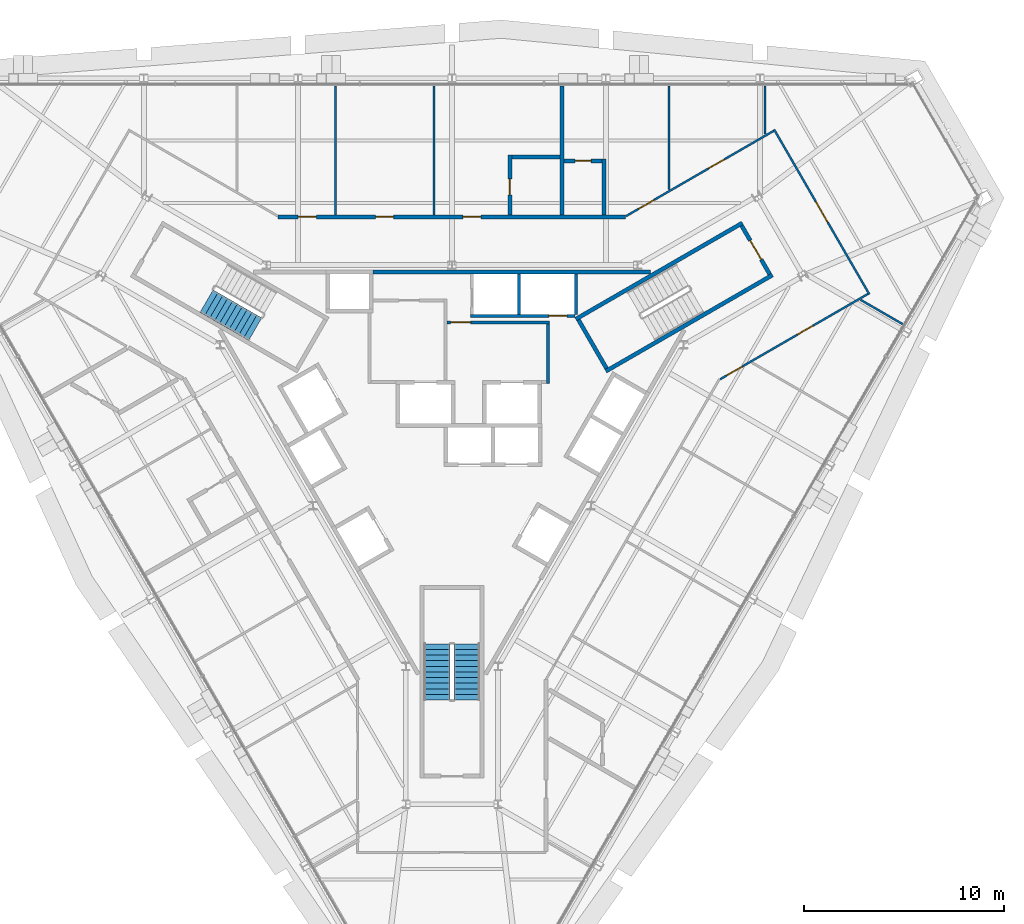
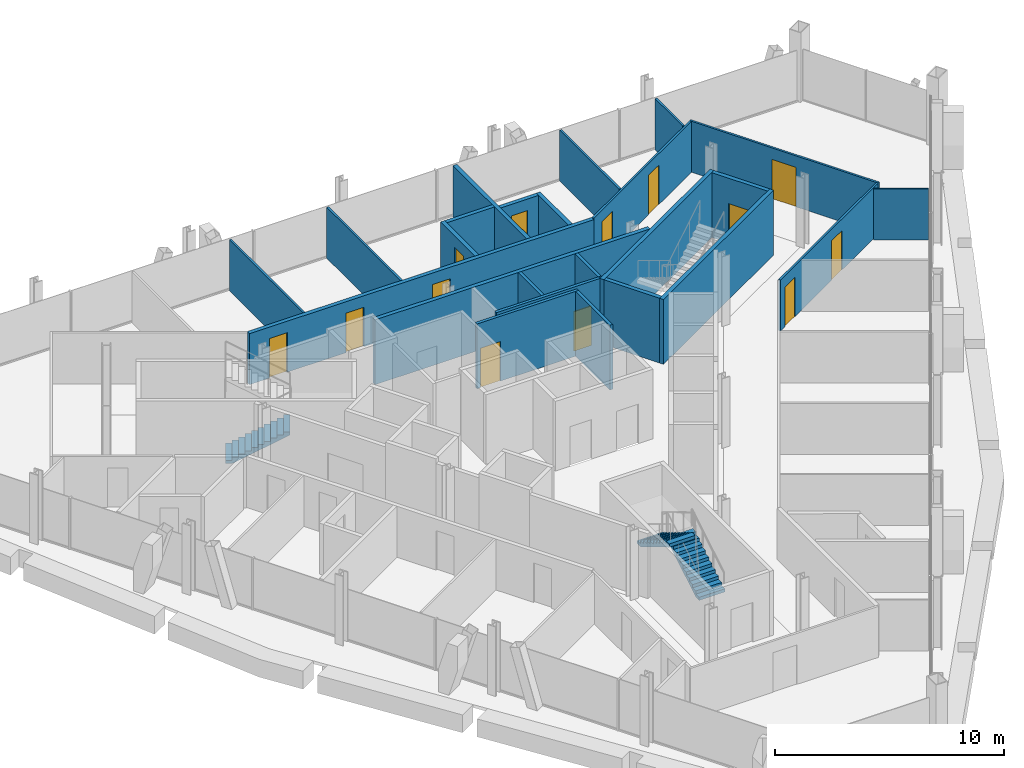
# One storey, part 10 of 13: 24 walls, 13 doors, 3 stair flights, 13 openings, 2 elements without a shape of their own.
"""IFC4 building model written with IfcOpenShell, lengths in metres."""

from ifc_helpers import new_model, si_unit, direction, frame, frame_2d, origin, place, context, subcontext, project, spatial, polyline, rectangle, outline, extrude, material, layer, layer_set, type_object, element, fill, aggregate, save


model = new_model("IFC4")

# Units and contexts
model_context = context("Model", 3, precision=1e-05, world=origin(), true_north=direction((0.0, 1.0)))
body_context = subcontext(model_context, "Body", "Model", "MODEL_VIEW")
ifc_project = project(units=[si_unit("LENGTHUNIT", "METRE"), si_unit("AREAUNIT", "SQUARE_METRE"), si_unit("VOLUMEUNIT", "CUBIC_METRE"), si_unit("PLANEANGLEUNIT", "RADIAN"), si_unit("MASSUNIT", "GRAM", prefix="KILO")], contexts=[model_context])

# Site, building, storey
site_placement = place(None, origin())
site = spatial("IfcSite", under=ifc_project, at=site_placement, CompositionType="ELEMENT")
building_placement = place(site_placement, origin())
building = spatial("IfcBuilding", under=site, at=building_placement, Name="Verrane Prism Tower", CompositionType="ELEMENT")
storey_placement = place(building_placement, frame((0.0, 0.0, 167.300048828125)))
storey = spatial("IfcBuildingStorey", under=building, at=storey_placement, Name="L41", CompositionType="ELEMENT", Elevation=167.300048828125)

# Wall
ifc_material_1 = material(Name="Gypsum board partition", Category="other")
ifc_layer_1 = layer(ifc_material_1, 0.199951171875)
ifc_layer_set_1 = layer_set([ifc_layer_1], Name="CW-200 core boundary wall 2 h")
wall_type_1 = type_object("IfcWallType", Name="CW-200 core boundary wall 2 h", PredefinedType="PARTITIONING", material=ifc_layer_set_1)
wall_1_placement = place(storey_placement, frame((-3.93310546875, 7.659912109375, 0.0), z_axis=(0.0, 0.0, 1.0), x_axis=(1.0, 0.0, 0.0)))
element("IfcWall", 1, at=wall_1_placement, inside=storey, type_object=wall_type_1, Name="Core boundary wall CW3-005", PredefinedType="PARTITIONING", context=body_context, shape_type="SweptSolid", body=[
    extrude(rectangle(XDim=13.841064453125, YDim=0.199951171875, at=frame_2d((6.92041015625, 0.0))), origin(), (0.0, 0.0, 1.0), 3.449951171875),
])

# Wall, opening, door
ifc_material_2 = material(Name="Concrete C40/50", Category="concrete")
ifc_layer_2 = layer(ifc_material_2, 0.199951171875)
ifc_layer_set_2 = layer_set([ifc_layer_2], Name="CW-200 stair core wall concrete C40/50 3 h")
wall_type_2 = type_object("IfcWallType", Name="CW-200 stair core wall concrete C40/50 3 h", PredefinedType="PARTITIONING", material=ifc_layer_set_2)
wall_2_placement = place(storey_placement, frame((15.85546875, 7.53759765625, 0.0), z_axis=(0.0, 0.0, 1.0), x_axis=(-0.500049511043, 0.865996816683, 0.0)))
wall_2 = element("IfcWall", 2, at=wall_2_placement, inside=storey, type_object=wall_type_2, Name="Stair 1 enclosure wall", PredefinedType="PARTITIONING", context=body_context, shape_type="SweptSolid", body=[
    extrude(rectangle(XDim=2.800048828125, YDim=0.199951171875, at=frame_2d((1.39990234375, 0.0))), origin(), (0.0, 0.0, 1.0), 3.449951171875),
])
opening_1_placement = place(wall_2_placement, frame((0.849853515625, 0.0, 0.0)))
opening_1 = element("IfcOpeningElement", 3, at=opening_1_placement, cuts=wall_2, Name="Opening D39500", PredefinedType="OPENING", context=body_context, shape_type="SweptSolid", body=[
    extrude(rectangle(XDim=1.10009765625, YDim=2.10009765625, at=frame_2d((0.550048828125, 1.050048828125))), frame((0.0, 0.10986328125, 0.0), z_axis=(0.0, -1.0, 0.0), x_axis=(1.0, 0.0, 0.0)), (0.0, 0.0, 1.0), 0.219970703125),
])
ifc_material_3 = material(Name="Timber veneered door leaf", Category="wood")
door_type_1 = type_object("IfcDoorType", Name="DR-1100x2100 FD90 single leaf stair", OperationType="NOTDEFINED", PredefinedType="DOOR", material=ifc_material_3)
door_1_placement = place(opening_1_placement, origin())
door_1 = element("IfcDoor", 4, at=door_1_placement, inside=storey, type_object=door_type_1, Name="Stair 1 door", OperationType="SINGLE_SWING_LEFT", OverallHeight=2.10009765625, OverallWidth=1.10009765625, PredefinedType="DOOR", context=body_context, shape_type="SweptSolid", body=[
    extrude(rectangle(XDim=1.10009765625, YDim=2.10009765625, at=frame_2d((0.550048828125, 1.050048828125))), frame((0.0, 0.02490234375, 0.0), z_axis=(0.0, -1.0, 0.0), x_axis=(1.0, 0.0, 0.0)), (0.0, 0.0, 1.0), 0.050048828125),
])
fill(opening_1, door_1)

# Walls
for number, where, z_axis, x_axis, name in (
    (5, (6.17822265625, 5.299072265625, 0.0), (0.0, 0.0, 1.0), (0.866019993635, 0.500009370536, 0.0), "Stair 1 enclosure wall"),
    (6, (7.67822265625, 2.700927734375, 0.0), (0.0, 0.0, 1.0), (0.866019993635, 0.500009370536, 0.0), "Stair 1 enclosure wall"),
):
    element("IfcWall", number, at=place(storey_placement, frame(where, z_axis=z_axis, x_axis=x_axis)), inside=storey, type_object=wall_type_2, Name=name, PredefinedType="PARTITIONING", context=body_context, shape_type="SweptSolid", body=[
        extrude(rectangle(XDim=9.599853515625, YDim=0.199951171875, at=frame_2d((4.7998046875, 0.0))), origin(), (0.0, 0.0, 1.0), 3.449951171875),
    ])
wall_3_placement = place(storey_placement, frame((7.71484375, 2.837646484375, 0.0), z_axis=(0.0, 0.0, 1.0), x_axis=(-0.500049511043, 0.865996816683, 0.0)))
element("IfcWall", 7, at=wall_3_placement, inside=storey, type_object=wall_type_2, Name="Stair 1 enclosure wall", PredefinedType="PARTITIONING", context=body_context, shape_type="SweptSolid", body=[
    extrude(rectangle(XDim=2.800048828125, YDim=0.199951171875, at=frame_2d((1.39990234375, 0.0))), origin(), (0.0, 0.0, 1.0), 3.449951171875),
])

# Wall, opening, door
ifc_material_4 = material(Name="Gypsum board partition", Category="other")
ifc_layer_3 = layer(ifc_material_4, 0.14990234375)
ifc_layer_set_3 = layer_set([ifc_layer_3], Name="LF-150 firefighting lobby wall 1 h")
wall_type_3 = type_object("IfcWallType", Name="LF-150 firefighting lobby wall 1 h", PredefinedType="PARTITIONING", material=ifc_layer_set_3)
wall_4_placement = place(storey_placement, frame((-0.2451171875, 5.139892578125, 0.0), z_axis=(0.0, 0.0, 1.0), x_axis=(1.0, 0.0, 0.0)))
wall_4 = element("IfcWall", 8, at=wall_4_placement, inside=storey, type_object=wall_type_3, Name="Firefighting lobby wall LF1-005", PredefinedType="PARTITIONING", context=body_context, shape_type="SweptSolid", body=[
    extrude(rectangle(XDim=5.110107421875, YDim=0.14990234375, at=frame_2d((2.55517578125, 0.0))), origin(), (0.0, 0.0, 1.0), 3.449951171875),
])
opening_2_placement = place(wall_4_placement, frame((0.175048828125, 0.0, 0.0)))
opening_2 = element("IfcOpeningElement", 9, at=opening_2_placement, cuts=wall_4, Name="Opening D39512", PredefinedType="OPENING", context=body_context, shape_type="SweptSolid", body=[
    extrude(rectangle(XDim=1.0, YDim=2.10009765625, at=frame_2d((0.5, 1.050048828125))), frame((0.0, 0.0849609375, 0.0), z_axis=(0.0, -1.0, 0.0), x_axis=(1.0, 0.0, 0.0)), (0.0, 0.0, 1.0), 0.169921875),
])
ifc_material_5 = material(Name="Timber veneered door leaf", Category="wood")
door_type_2 = type_object("IfcDoorType", Name="DR-1000x2100 FD60 single leaf firefighting lobby", OperationType="NOTDEFINED", PredefinedType="DOOR", material=ifc_material_5)
door_2_placement = place(opening_2_placement, origin())
door_2 = element("IfcDoor", 10, at=door_2_placement, inside=storey, type_object=door_type_2, Name="Firefighting lobby door D39512", OperationType="SINGLE_SWING_LEFT", OverallHeight=2.10009765625, OverallWidth=1.0, PredefinedType="DOOR", context=body_context, shape_type="SweptSolid", body=[
    extrude(rectangle(XDim=1.0, YDim=2.10009765625, at=frame_2d((0.5, 1.050048828125))), frame((0.0, 0.02490234375, 0.0), z_axis=(0.0, -1.0, 0.0), x_axis=(1.0, 0.0, 0.0)), (0.0, 0.0, 1.0), 0.050048828125),
])
fill(opening_2, door_2)

# Walls
wall_5_placement = place(storey_placement, frame((4.7900390625, 2.0849609375, 0.0), z_axis=(0.0, 0.0, 1.0), x_axis=(0.0, 1.0, 0.0)))
element("IfcWall", 11, at=wall_5_placement, inside=storey, type_object=wall_type_3, Name="Firefighting lobby wall LF1-007", PredefinedType="PARTITIONING", context=body_context, shape_type="SweptSolid", body=[
    extrude(rectangle(XDim=2.97998046875, YDim=0.14990234375, at=frame_2d((1.489990234375, 0.0))), origin(), (0.0, 0.0, 1.0), 3.449951171875),
])
ifc_material_6 = material(Name="Gypsum board partition", Category="other")
ifc_layer_4 = layer(ifc_material_6, 0.10009765625)
ifc_layer_set_4 = layer_set([ifc_layer_4], Name="PW-100 room partition")
wall_type_4 = type_object("IfcWallType", Name="PW-100 room partition", PredefinedType="PARTITIONING", material=ifc_layer_set_4)
for number, where, z_axis, x_axis, name in (
    (12, (-5.81005859375, 10.5, 0.0), (0.0, 0.0, 1.0), (0.0, 1.0, 0.0), "Room partition 020"),
    (13, (-0.906005859375, 10.5, 0.0), (0.0, 0.0, 1.0), (0.0, 1.0, 0.0), "Room partition 025"),
):
    element("IfcWall", number, at=place(storey_placement, frame(where, z_axis=z_axis, x_axis=x_axis)), inside=storey, type_object=wall_type_4, Name=name, PredefinedType="PARTITIONING", context=body_context, shape_type="SweptSolid", body=[
        extrude(rectangle(XDim=6.43505859375, YDim=0.10009765625, at=frame_2d((3.217529296875, 0.0))), origin(), (0.0, 0.0, 1.0), 2.712890625),
    ])

# Wall, openings, doors
wall_6_placement = place(storey_placement, frame((8.690673828125, 10.4423828125, 0.0), z_axis=(0.0, 0.0, 1.0), x_axis=(0.866070360466, 0.499922124658, 0.0)))
wall_6 = element("IfcWall", 14, at=wall_6_placement, inside=storey, type_object=wall_type_4, Name="Room partition 038", PredefinedType="PARTITIONING", context=body_context, shape_type="SweptSolid", body=[
    extrude(rectangle(XDim=8.502685546875, YDim=0.10009765625, at=frame_2d((4.25146484375, 0.0))), origin(), (0.0, 0.0, 1.0), 2.712890625),
])
opening_3_placement = place(wall_6_placement, frame((4.758056640625, 0.0, 0.0)))
opening_3 = element("IfcOpeningElement", 15, at=opening_3_placement, cuts=wall_6, Name="Opening D39009", PredefinedType="OPENING", context=body_context, shape_type="SweptSolid", body=[
    extrude(rectangle(XDim=0.89990234375, YDim=2.10009765625, at=frame_2d((0.449951171875, 1.050048828125))), frame((0.0, 0.06005859375, 0.0), z_axis=(0.0, -1.0, 0.0), x_axis=(1.0, 0.0, 0.0)), (0.0, 0.0, 1.0), 0.1201171875),
])
opening_4_placement = place(wall_6_placement, frame((0.715087890625, 0.0, 0.0)))
opening_4 = element("IfcOpeningElement", 16, at=opening_4_placement, cuts=wall_6, Name="Opening D39010", PredefinedType="OPENING", context=body_context, shape_type="SweptSolid", body=[
    extrude(rectangle(XDim=0.89990234375, YDim=2.10009765625, at=frame_2d((0.449951171875, 1.050048828125))), frame((0.0, 0.06005859375, 0.0), z_axis=(0.0, -1.0, 0.0), x_axis=(1.0, 0.0, 0.0)), (0.0, 0.0, 1.0), 0.1201171875),
])
ifc_material_7 = material(Name="Timber veneered door leaf", Category="wood")
door_type_3 = type_object("IfcDoorType", Name="DR-900x2100 single leaf inner", OperationType="NOTDEFINED", PredefinedType="DOOR", material=ifc_material_7)
door_3_placement = place(opening_4_placement, origin())
door_3 = element("IfcDoor", 17, at=door_3_placement, inside=storey, type_object=door_type_3, Name="Bedroom door", OperationType="SINGLE_SWING_RIGHT", OverallHeight=2.10009765625, OverallWidth=0.89990234375, PredefinedType="DOOR", context=body_context, shape_type="SweptSolid", body=[
    extrude(rectangle(XDim=0.89990234375, YDim=2.10009765625, at=frame_2d((0.449951171875, 1.050048828125))), frame((0.0, 0.02490234375, 0.0), z_axis=(0.0, -1.0, 0.0), x_axis=(1.0, 0.0, 0.0)), (0.0, 0.0, 1.0), 0.050048828125),
])
fill(opening_4, door_3)
ifc_material_8 = material(Name="Timber veneered door leaf", Category="wood")
door_type_4 = type_object("IfcDoorType", Name="DR-900x2100 single leaf unit", OperationType="NOTDEFINED", PredefinedType="DOOR", material=ifc_material_8)
door_4_placement = place(opening_3_placement, origin())
door_4 = element("IfcDoor", 18, at=door_4_placement, inside=storey, type_object=door_type_4, Name="Kitchen door", OperationType="SINGLE_SWING_LEFT", OverallHeight=2.10009765625, OverallWidth=0.89990234375, PredefinedType="DOOR", context=body_context, shape_type="SweptSolid", body=[
    extrude(rectangle(XDim=0.89990234375, YDim=2.10009765625, at=frame_2d((0.449951171875, 1.050048828125))), frame((0.0, 0.02490234375, 0.0), z_axis=(0.0, -1.0, 0.0), x_axis=(1.0, 0.0, 0.0)), (0.0, 0.0, 1.0), 0.050048828125),
])
fill(opening_3, door_4)

# Wall
wall_7_placement = place(storey_placement, frame((10.820068359375, 11.757568359375, 0.0), z_axis=(0.0, 0.0, 1.0), x_axis=(0.0, 1.0, 0.0)))
element("IfcWall", 19, at=wall_7_placement, inside=storey, type_object=wall_type_4, Name="Room partition 040", PredefinedType="PARTITIONING", context=body_context, shape_type="SweptSolid", body=[
    extrude(rectangle(XDim=5.177490234375, YDim=0.10009765625, at=frame_2d((2.5888671875, 0.0))), origin(), (0.0, 0.0, 1.0), 2.712890625),
])

# Wall, openings, doors
wall_8_placement = place(storey_placement, frame((20.755615234375, 6.556884765625, 0.0), z_axis=(0.0, 0.0, 1.0), x_axis=(-0.866069146081, -0.499924228466, 0.0)))
wall_8 = element("IfcWall", 20, at=wall_8_placement, inside=storey, type_object=wall_type_4, Name="Room partition 042", PredefinedType="PARTITIONING", context=body_context, shape_type="SweptSolid", body=[
    extrude(rectangle(XDim=8.518798828125, YDim=0.10009765625, at=frame_2d((4.25927734375, 0.0))), origin(), (0.0, 0.0, 1.0), 2.712890625),
])
opening_5_placement = place(wall_8_placement, frame((7.239013671875, 0.0, 0.0)))
opening_5 = element("IfcOpeningElement", 21, at=opening_5_placement, cuts=wall_8, Name="Opening D39006", PredefinedType="OPENING", context=body_context, shape_type="SweptSolid", body=[
    extrude(rectangle(XDim=0.89990234375, YDim=2.10009765625, at=frame_2d((0.449951171875, 1.050048828125))), frame((0.0, 0.06005859375, 0.0), z_axis=(0.0, -1.0, 0.0), x_axis=(1.0, 0.0, 0.0)), (0.0, 0.0, 1.0), 0.1201171875),
])
opening_6_placement = place(wall_8_placement, frame((3.169189453125, 0.0, 0.0)))
opening_6 = element("IfcOpeningElement", 22, at=opening_6_placement, cuts=wall_8, Name="Opening D39007", PredefinedType="OPENING", context=body_context, shape_type="SweptSolid", body=[
    extrude(rectangle(XDim=0.89990234375, YDim=2.10009765625, at=frame_2d((0.449951171875, 1.050048828125))), frame((0.0, 0.06005859375, 0.0), z_axis=(0.0, -1.0, 0.0), x_axis=(1.0, 0.0, 0.0)), (0.0, 0.0, 1.0), 0.1201171875),
])
door_5_placement = place(opening_5_placement, origin())
door_5 = element("IfcDoor", 23, at=door_5_placement, inside=storey, type_object=door_type_4, Name="Study door", OperationType="SINGLE_SWING_LEFT", OverallHeight=2.10009765625, OverallWidth=0.89990234375, PredefinedType="DOOR", context=body_context, shape_type="SweptSolid", body=[
    extrude(rectangle(XDim=0.89990234375, YDim=2.10009765625, at=frame_2d((0.449951171875, 1.050048828125))), frame((0.0, 0.02490234375, 0.0), z_axis=(0.0, -1.0, 0.0), x_axis=(1.0, 0.0, 0.0)), (0.0, 0.0, 1.0), 0.050048828125),
])
fill(opening_5, door_5)
door_6_placement = place(opening_6_placement, origin())
door_6 = element("IfcDoor", 24, at=door_6_placement, inside=storey, type_object=door_type_4, Name="Study door", OperationType="SINGLE_SWING_RIGHT", OverallHeight=2.10009765625, OverallWidth=0.89990234375, PredefinedType="DOOR", context=body_context, shape_type="SweptSolid", body=[
    extrude(rectangle(XDim=0.89990234375, YDim=2.10009765625, at=frame_2d((0.449951171875, 1.050048828125))), frame((0.0, 0.02490234375, 0.0), z_axis=(0.0, -1.0, 0.0), x_axis=(1.0, 0.0, 0.0)), (0.0, 0.0, 1.0), 0.050048828125),
])
fill(opening_6, door_6)

# Wall
wall_9_placement = place(storey_placement, frame((15.616943359375, 14.526611328125, 0.0), z_axis=(0.0, 0.0, 1.0), x_axis=(0.0, 1.0, 0.0)))
element("IfcWall", 25, at=wall_9_placement, inside=storey, type_object=wall_type_4, Name="Room partition 044", PredefinedType="PARTITIONING", context=body_context, shape_type="SweptSolid", body=[
    extrude(rectangle(XDim=2.408447265625, YDim=0.10009765625, at=frame_2d((1.2041015625, 0.0))), origin(), (0.0, 0.0, 1.0), 2.712890625),
])

# Wall, opening, door
wall_10_placement = place(storey_placement, frame((16.072998046875, 14.76123046875, 0.0), z_axis=(0.0, 0.0, 1.0), x_axis=(0.500297300687, -0.865853689098, 0.0)))
wall_10 = element("IfcWall", 26, at=wall_10_placement, inside=storey, type_object=wall_type_4, Name="Room partition 045", PredefinedType="PARTITIONING", context=body_context, shape_type="SweptSolid", body=[
    extrude(rectangle(XDim=9.496337890625, YDim=0.10009765625, at=frame_2d((4.748046875, 0.0))), origin(), (0.0, 0.0, 1.0), 2.712890625),
])
opening_7_placement = place(wall_10_placement, frame((4.14990234375, 0.0, 0.0)))
opening_7 = element("IfcOpeningElement", 27, at=opening_7_placement, cuts=wall_10, Name="Opening D39008", PredefinedType="OPENING", context=body_context, shape_type="SweptSolid", body=[
    extrude(rectangle(XDim=1.199951171875, YDim=2.10009765625, at=frame_2d((0.60009765625, 1.050048828125))), frame((0.0, 0.06005859375, 0.0), z_axis=(0.0, -1.0, 0.0), x_axis=(1.0, 0.0, 0.0)), (0.0, 0.0, 1.0), 0.1201171875),
])
ifc_material_9 = material(Name="Timber veneered door leaf", Category="wood")
door_type_5 = type_object("IfcDoorType", Name="DR-1200x2100 single leaf unit", OperationType="NOTDEFINED", PredefinedType="DOOR", material=ifc_material_9)
door_7_placement = place(opening_7_placement, origin())
door_7 = element("IfcDoor", 28, at=door_7_placement, inside=storey, type_object=door_type_5, Name="Living And Dining Room door", OperationType="SINGLE_SWING_RIGHT", OverallHeight=2.10009765625, OverallWidth=1.199951171875, PredefinedType="DOOR", context=body_context, shape_type="SweptSolid", body=[
    extrude(rectangle(XDim=1.199951171875, YDim=2.10009765625, at=frame_2d((0.60009765625, 1.050048828125))), frame((0.0, 0.02490234375, 0.0), z_axis=(0.0, -1.0, 0.0), x_axis=(1.0, 0.0, 0.0)), (0.0, 0.0, 1.0), 0.050048828125),
])
fill(opening_7, door_7)

# Wall
wall_11_placement = place(storey_placement, frame((20.39208984375, 6.2607421875, 0.0), z_axis=(0.0, 0.0, 1.0), x_axis=(0.865953976614, -0.500123695086, 0.0)))
element("IfcWall", 29, at=wall_11_placement, inside=storey, type_object=wall_type_4, Name="Room partition 046", PredefinedType="PARTITIONING", context=body_context, shape_type="SweptSolid", body=[
    extrude(rectangle(XDim=2.4052734375, YDim=0.10009765625, at=frame_2d((1.20263671875, 0.0))), origin(), (0.0, 0.0, 1.0), 2.712890625),
])

# Wall, openings, doors
ifc_material_10 = material(Name="Gypsum board partition", Category="other")
ifc_layer_5 = layer(ifc_material_10, 0.199951171875)
ifc_layer_set_5 = layer_set([ifc_layer_5], Name="PW-200 plumbing wall")
wall_type_5 = type_object("IfcWallType", Name="PW-200 plumbing wall", PredefinedType="PARTITIONING", material=ifc_layer_set_5)
wall_12_placement = place(storey_placement, frame((-8.6669921875, 10.39990234375, 0.0), z_axis=(0.0, 0.0, 1.0), x_axis=(1.0, 0.0, 0.0)))
wall_12 = element("IfcWall", 30, at=wall_12_placement, inside=storey, type_object=wall_type_5, Name="Plumbing wall 017", PredefinedType="PARTITIONING", context=body_context, shape_type="SweptSolid", body=[
    extrude(rectangle(XDim=17.333984375, YDim=0.199951171875, at=frame_2d((8.6669921875, 0.0))), origin(), (0.0, 0.0, 1.0), 2.712890625),
])
opening_8_placement = place(wall_12_placement, frame((9.2109375, 0.0, 0.0)))
opening_8 = element("IfcOpeningElement", 31, at=opening_8_placement, cuts=wall_12, Name="Opening D39012", PredefinedType="OPENING", context=body_context, shape_type="SweptSolid", body=[
    extrude(rectangle(XDim=0.89990234375, YDim=2.10009765625, at=frame_2d((0.449951171875, 1.050048828125))), frame((0.0, 0.10986328125, 0.0), z_axis=(0.0, -1.0, 0.0), x_axis=(1.0, 0.0, 0.0)), (0.0, 0.0, 1.0), 0.219970703125),
])
opening_9_placement = place(wall_12_placement, frame((4.85693359375, 0.0, 0.0)))
opening_9 = element("IfcOpeningElement", 32, at=opening_9_placement, cuts=wall_12, Name="Opening D39014", PredefinedType="OPENING", context=body_context, shape_type="SweptSolid", body=[
    extrude(rectangle(XDim=0.89990234375, YDim=2.10009765625, at=frame_2d((0.449951171875, 1.050048828125))), frame((0.0, 0.10986328125, 0.0), z_axis=(0.0, -1.0, 0.0), x_axis=(1.0, 0.0, 0.0)), (0.0, 0.0, 1.0), 0.219970703125),
])
opening_10_placement = place(wall_12_placement, frame((1.0, 0.0, 0.0)))
opening_10 = element("IfcOpeningElement", 33, at=opening_10_placement, cuts=wall_12, Name="Opening D39015", PredefinedType="OPENING", context=body_context, shape_type="SweptSolid", body=[
    extrude(rectangle(XDim=0.89990234375, YDim=2.10009765625, at=frame_2d((0.449951171875, 1.050048828125))), frame((0.0, 0.10986328125, 0.0), z_axis=(0.0, -1.0, 0.0), x_axis=(1.0, 0.0, 0.0)), (0.0, 0.0, 1.0), 0.219970703125),
])
door_8_placement = place(opening_8_placement, origin())
door_8 = element("IfcDoor", 34, at=door_8_placement, inside=storey, type_object=door_type_3, Name="Master Bedroom door", OperationType="SINGLE_SWING_RIGHT", OverallHeight=2.10009765625, OverallWidth=0.89990234375, PredefinedType="DOOR", context=body_context, shape_type="SweptSolid", body=[
    extrude(rectangle(XDim=0.89990234375, YDim=2.10009765625, at=frame_2d((0.449951171875, 1.050048828125))), frame((0.0, 0.02490234375, 0.0), z_axis=(0.0, -1.0, 0.0), x_axis=(1.0, 0.0, 0.0)), (0.0, 0.0, 1.0), 0.050048828125),
])
fill(opening_8, door_8)
door_9_placement = place(opening_9_placement, origin())
door_9 = element("IfcDoor", 35, at=door_9_placement, inside=storey, type_object=door_type_4, Name="Utility Room door", OperationType="SINGLE_SWING_RIGHT", OverallHeight=2.10009765625, OverallWidth=0.89990234375, PredefinedType="DOOR", context=body_context, shape_type="SweptSolid", body=[
    extrude(rectangle(XDim=0.89990234375, YDim=2.10009765625, at=frame_2d((0.449951171875, 1.050048828125))), frame((0.0, 0.02490234375, 0.0), z_axis=(0.0, -1.0, 0.0), x_axis=(1.0, 0.0, 0.0)), (0.0, 0.0, 1.0), 0.050048828125),
])
fill(opening_9, door_9)
door_10_placement = place(opening_10_placement, origin())
door_10 = element("IfcDoor", 36, at=door_10_placement, inside=storey, type_object=door_type_4, Name="Utility Room door", OperationType="SINGLE_SWING_LEFT", OverallHeight=2.10009765625, OverallWidth=0.89990234375, PredefinedType="DOOR", context=body_context, shape_type="SweptSolid", body=[
    extrude(rectangle(XDim=0.89990234375, YDim=2.10009765625, at=frame_2d((0.449951171875, 1.050048828125))), frame((0.0, 0.02490234375, 0.0), z_axis=(0.0, -1.0, 0.0), x_axis=(1.0, 0.0, 0.0)), (0.0, 0.0, 1.0), 0.050048828125),
])
fill(opening_10, door_10)

# Wall, opening, door
wall_13_placement = place(storey_placement, frame((2.889892578125, 13.5, 0.0), z_axis=(0.0, 0.0, 1.0), x_axis=(0.0, -1.0, 0.0)))
wall_13 = element("IfcWall", 37, at=wall_13_placement, inside=storey, type_object=wall_type_5, Name="Plumbing wall 026", PredefinedType="PARTITIONING", context=body_context, shape_type="SweptSolid", body=[
    extrude(rectangle(XDim=3.0, YDim=0.199951171875, at=frame_2d((1.5, 0.0))), origin(), (0.0, 0.0, 1.0), 2.712890625),
])
opening_11_placement = place(wall_13_placement, frame((1.199951171875, 0.0, 0.0)))
opening_11 = element("IfcOpeningElement", 38, at=opening_11_placement, cuts=wall_13, Name="Opening D39013", PredefinedType="OPENING", context=body_context, shape_type="SweptSolid", body=[
    extrude(rectangle(XDim=0.800048828125, YDim=2.10009765625, at=frame_2d((0.39990234375, 1.050048828125))), frame((0.0, 0.10986328125, 0.0), z_axis=(0.0, -1.0, 0.0), x_axis=(1.0, 0.0, 0.0)), (0.0, 0.0, 1.0), 0.219970703125),
])
ifc_material_11 = material(Name="Timber veneered door leaf", Category="wood")
door_type_6 = type_object("IfcDoorType", Name="DR-800x2100 single leaf bath", OperationType="NOTDEFINED", PredefinedType="DOOR", material=ifc_material_11)
door_11_placement = place(opening_11_placement, origin())
door_11 = element("IfcDoor", 39, at=door_11_placement, inside=storey, type_object=door_type_6, Name="Master Bathroom door", OperationType="SINGLE_SWING_RIGHT", OverallHeight=2.10009765625, OverallWidth=0.800048828125, PredefinedType="DOOR", context=body_context, shape_type="SweptSolid", body=[
    extrude(rectangle(XDim=0.800048828125, YDim=2.10009765625, at=frame_2d((0.39990234375, 1.050048828125))), frame((0.0, 0.02490234375, 0.0), z_axis=(0.0, -1.0, 0.0), x_axis=(1.0, 0.0, 0.0)), (0.0, 0.0, 1.0), 0.050048828125),
])
fill(opening_11, door_11)

# Walls
wall_14_placement = place(storey_placement, frame((2.989990234375, 13.39990234375, 0.0), z_axis=(0.0, 0.0, 1.0), x_axis=(1.0, 0.0, 0.0)))
element("IfcWall", 40, at=wall_14_placement, inside=storey, type_object=wall_type_5, Name="Plumbing wall 027", PredefinedType="PARTITIONING", context=body_context, shape_type="SweptSolid", body=[
    extrude(rectangle(XDim=2.39990234375, YDim=0.199951171875, at=frame_2d((1.199951171875, 0.0))), origin(), (0.0, 0.0, 1.0), 2.712890625),
])
wall_15_placement = place(storey_placement, frame((5.489990234375, 10.5, 0.0), z_axis=(0.0, 0.0, 1.0), x_axis=(0.0, 1.0, 0.0)))
element("IfcWall", 41, at=wall_15_placement, inside=storey, type_object=wall_type_5, Name="Plumbing wall 033", PredefinedType="PARTITIONING", context=body_context, shape_type="SweptSolid", body=[
    extrude(rectangle(XDim=6.43505859375, YDim=0.199951171875, at=frame_2d((3.217529296875, 0.0))), origin(), (0.0, 0.0, 1.0), 2.712890625),
])

# Wall, opening, door
wall_16_placement = place(storey_placement, frame((7.489990234375, 13.199951171875, 0.0), z_axis=(0.0, 0.0, 1.0), x_axis=(-1.0, 0.0, 0.0)))
wall_16 = element("IfcWall", 42, at=wall_16_placement, inside=storey, type_object=wall_type_5, Name="Plumbing wall 034", PredefinedType="PARTITIONING", context=body_context, shape_type="SweptSolid", body=[
    extrude(rectangle(XDim=1.89990234375, YDim=0.199951171875, at=frame_2d((0.949951171875, 0.0))), origin(), (0.0, 0.0, 1.0), 2.712890625),
])
opening_12_placement = place(wall_16_placement, frame((0.550048828125, 0.0, 0.0)))
opening_12 = element("IfcOpeningElement", 43, at=opening_12_placement, cuts=wall_16, Name="Opening D39011", PredefinedType="OPENING", context=body_context, shape_type="SweptSolid", body=[
    extrude(rectangle(XDim=0.800048828125, YDim=2.10009765625, at=frame_2d((0.39990234375, 1.050048828125))), frame((0.0, 0.10986328125, 0.0), z_axis=(0.0, -1.0, 0.0), x_axis=(1.0, 0.0, 0.0)), (0.0, 0.0, 1.0), 0.219970703125),
])
door_12_placement = place(opening_12_placement, origin())
door_12 = element("IfcDoor", 44, at=door_12_placement, inside=storey, type_object=door_type_6, Name="Bathroom door", OperationType="SINGLE_SWING_RIGHT", OverallHeight=2.10009765625, OverallWidth=0.800048828125, PredefinedType="DOOR", context=body_context, shape_type="SweptSolid", body=[
    extrude(rectangle(XDim=0.800048828125, YDim=2.10009765625, at=frame_2d((0.39990234375, 1.050048828125))), frame((0.0, 0.02490234375, 0.0), z_axis=(0.0, -1.0, 0.0), x_axis=(1.0, 0.0, 0.0)), (0.0, 0.0, 1.0), 0.050048828125),
])
fill(opening_12, door_12)

# Wall
wall_17_placement = place(storey_placement, frame((7.590087890625, 10.5, 0.0), z_axis=(0.0, 0.0, 1.0), x_axis=(0.0, 1.0, 0.0)))
element("IfcWall", 45, at=wall_17_placement, inside=storey, type_object=wall_type_5, Name="Plumbing wall 037", PredefinedType="PARTITIONING", context=body_context, shape_type="SweptSolid", body=[
    extrude(rectangle(XDim=2.800048828125, YDim=0.199951171875, at=frame_2d((1.39990234375, 0.0))), origin(), (0.0, 0.0, 1.0), 2.712890625),
])

# Wall, opening, door
ifc_material_12 = material(Name="Gypsum board partition", Category="other")
ifc_layer_6 = layer(ifc_material_12, 0.14990234375)
ifc_layer_set_6 = layer_set([ifc_layer_6], Name="RS-150 riser enclosure wall 1 h")
wall_type_6 = type_object("IfcWallType", Name="RS-150 riser enclosure wall 1 h", PredefinedType="PARTITIONING", material=ifc_layer_set_6)
wall_18_placement = place(storey_placement, frame((0.925048828125, 5.4599609375, 0.0), z_axis=(0.0, 0.0, 1.0), x_axis=(1.0, 0.0, 0.0)))
wall_18 = element("IfcWall", 46, at=wall_18_placement, inside=storey, type_object=wall_type_6, Name="Riser wall RS3-002", PredefinedType="PARTITIONING", context=body_context, shape_type="SweptSolid", body=[
    extrude(rectangle(XDim=5.219970703125, YDim=0.14990234375, at=frame_2d((2.60986328125, 0.0))), origin(), (0.0, 0.0, 1.0), 3.449951171875),
])
opening_13_placement = place(wall_18_placement, frame((3.9150390625, 0.0, 0.0)))
opening_13 = element("IfcOpeningElement", 47, at=opening_13_placement, cuts=wall_18, Name="Opening D39514", PredefinedType="OPENING", context=body_context, shape_type="SweptSolid", body=[
    extrude(rectangle(XDim=0.89990234375, YDim=2.10009765625, at=frame_2d((0.449951171875, 1.050048828125))), frame((0.0, 0.0849609375, 0.0), z_axis=(0.0, -1.0, 0.0), x_axis=(1.0, 0.0, 0.0)), (0.0, 0.0, 1.0), 0.169921875),
])
ifc_material_13 = material(Name="Timber veneered door leaf", Category="wood")
door_type_7 = type_object("IfcDoorType", Name="DR-900x2100 FD60 single leaf riser", OperationType="NOTDEFINED", PredefinedType="DOOR", material=ifc_material_13)
door_13_placement = place(opening_13_placement, origin())
door_13 = element("IfcDoor", 48, at=door_13_placement, inside=storey, type_object=door_type_7, Name="Riser door D39514", OperationType="SINGLE_SWING_RIGHT", OverallHeight=2.10009765625, OverallWidth=0.89990234375, PredefinedType="DOOR", context=body_context, shape_type="SweptSolid", body=[
    extrude(rectangle(XDim=0.89990234375, YDim=2.10009765625, at=frame_2d((0.449951171875, 1.050048828125))), frame((0.0, 0.02490234375, 0.0), z_axis=(0.0, -1.0, 0.0), x_axis=(1.0, 0.0, 0.0)), (0.0, 0.0, 1.0), 0.050048828125),
])
fill(opening_13, door_13)

# Walls
for number, where, z_axis, x_axis, name in (
    (49, (3.340087890625, 5.534912109375, 0.0), (0.0, 0.0, 1.0), (0.0, 1.0, 0.0), "Riser wall RS3-003"),
    (50, (6.199951171875, 5.534912109375, 0.0), (0.0, 0.0, 1.0), (0.0, 1.0, 0.0), "Riser wall RS3-004"),
):
    element("IfcWall", number, at=place(storey_placement, frame(where, z_axis=z_axis, x_axis=x_axis)), inside=storey, type_object=wall_type_6, Name=name, PredefinedType="PARTITIONING", context=body_context, shape_type="SweptSolid", body=[
        extrude(rectangle(XDim=2.025146484375, YDim=0.14990234375, at=frame_2d((1.0126953125, 0.0))), origin(), (0.0, 0.0, 1.0), 3.449951171875),
    ])

# Stair, stair flight
ifc_material_14 = material(Name="Concrete C40/50", Category="concrete")
stair_type = type_object("IfcStairType", Name="Exit stair 1300 dog-leg precast concrete C40/50", PredefinedType="HALF_TURN_STAIR", material=ifc_material_14)
stair_1_placement = place(storey_placement, origin())
stair_1 = element("IfcStair", 51, at=stair_1_placement, inside=storey, type_object=stair_type, Name="Stair 2 L41", PredefinedType="HALF_TURN_STAIR")
ifc_material_15 = material(Name="Concrete C40/50", Category="concrete")
stair_flight_type = type_object("IfcStairFlightType", Name="Stair flight 1300 precast concrete C40/50", PredefinedType="STRAIGHT", material=ifc_material_15)
stair_flight_1_placement = place(storey_placement, frame((-12.239501953125, 6.200439453125, 0.0), z_axis=(0.0, 0.0, 1.0), x_axis=(0.866025403784, -0.5, 0.0)))
stair_flight_1 = element("IfcStairFlight", 52, at=stair_flight_1_placement, type_object=stair_flight_type, Name="Stair 2 flight 1", NumberOfRisers=11, NumberOfTreads=10, PredefinedType="STRAIGHT", RiserHeight=0.168181818, TreadLength=0.28, context=body_context, shape_type="SweptSolid", body=[
    extrude(outline(polyline([(0.0, 0.0), (0.0, 0.168212890625), (0.280029296875, 0.168212890625), (0.280029296875, 0.33642578125), (0.56005859375, 0.33642578125), (0.56005859375, 0.504638671875), (0.840087890625, 0.504638671875), (0.840087890625, 0.672607421875), (1.1201171875, 0.672607421875), (1.1201171875, 0.8408203125), (1.39990234375, 0.8408203125), (1.39990234375, 1.009033203125), (1.679931640625, 1.009033203125), (1.679931640625, 1.17724609375), (1.9599609375, 1.17724609375), (1.9599609375, 1.345458984375), (2.239990234375, 1.345458984375), (2.239990234375, 1.513671875), (2.52001953125, 1.513671875), (2.52001953125, 1.681884765625), (2.800048828125, 1.681884765625), (2.800048828125, 1.85009765625), (2.800048828125, 1.5068359375), (0.291015625, 0.0), (0.0, 0.0)])), frame((0.0, 0.64990234375, 0.0), z_axis=(0.0, -1.0, 0.0), x_axis=(1.0, 0.0, 0.0)), (0.0, 0.0, 1.0), 1.300048828125),
])
aggregate(stair_1, [stair_flight_1])

# Stair, stair flights
stair_2_placement = place(storey_placement, origin())
stair_2 = element("IfcStair", 53, at=stair_2_placement, inside=storey, type_object=stair_type, Name="Stair 3 L41", PredefinedType="HALF_TURN_STAIR")
stair_flight_2_placement = place(storey_placement, frame((0.75, -13.699951171875, 0.0), z_axis=(0.0, 0.0, 1.0), x_axis=(0.0, 1.0, 0.0)))
stair_flight_2 = element("IfcStairFlight", 54, at=stair_flight_2_placement, type_object=stair_flight_type, Name="Stair 3 flight 1", NumberOfRisers=11, NumberOfTreads=10, PredefinedType="STRAIGHT", RiserHeight=0.168181818, TreadLength=0.28, context=body_context, shape_type="SweptSolid", body=[
    extrude(outline(polyline([(0.0, 0.0), (0.0, 0.168212890625), (0.280029296875, 0.168212890625), (0.280029296875, 0.33642578125), (0.56005859375, 0.33642578125), (0.56005859375, 0.504638671875), (0.840087890625, 0.504638671875), (0.840087890625, 0.672607421875), (1.1201171875, 0.672607421875), (1.1201171875, 0.8408203125), (1.39990234375, 0.8408203125), (1.39990234375, 1.009033203125), (1.679931640625, 1.009033203125), (1.679931640625, 1.17724609375), (1.9599609375, 1.17724609375), (1.9599609375, 1.345458984375), (2.239990234375, 1.345458984375), (2.239990234375, 1.513671875), (2.52001953125, 1.513671875), (2.52001953125, 1.681884765625), (2.800048828125, 1.681884765625), (2.800048828125, 1.85009765625), (2.800048828125, 1.5068359375), (0.291015625, 0.0), (0.0, 0.0)])), frame((0.0, 0.64990234375, 0.0), z_axis=(0.0, -1.0, 0.0), x_axis=(1.0, 0.0, 0.0)), (0.0, 0.0, 1.0), 1.300048828125),
])
stair_flight_3_placement = place(storey_placement, frame((-0.75, -10.89990234375, 1.849853515625), z_axis=(0.0, 0.0, 1.0), x_axis=(0.0, -1.0, 0.0)))
stair_flight_3 = element("IfcStairFlight", 55, at=stair_flight_3_placement, type_object=stair_flight_type, Name="Stair 3 flight 2", NumberOfRisers=11, NumberOfTreads=10, PredefinedType="STRAIGHT", RiserHeight=0.168181818, TreadLength=0.28, context=body_context, shape_type="SweptSolid", body=[
    extrude(outline(polyline([(0.0, 0.0), (0.0, 0.168212890625), (0.280029296875, 0.168212890625), (0.280029296875, 0.33642578125), (0.56005859375, 0.33642578125), (0.56005859375, 0.504638671875), (0.840087890625, 0.504638671875), (0.840087890625, 0.672607421875), (1.1201171875, 0.672607421875), (1.1201171875, 0.8408203125), (1.39990234375, 0.8408203125), (1.39990234375, 1.009033203125), (1.679931640625, 1.009033203125), (1.679931640625, 1.17724609375), (1.9599609375, 1.17724609375), (1.9599609375, 1.345458984375), (2.239990234375, 1.345458984375), (2.239990234375, 1.513671875), (2.52001953125, 1.513671875), (2.52001953125, 1.681884765625), (2.800048828125, 1.681884765625), (2.800048828125, 1.85009765625), (2.800048828125, 1.5068359375), (0.291015625, 0.0), (0.0, 0.0)])), frame((0.0, 0.64990234375, 0.0), z_axis=(0.0, -1.0, 0.0), x_axis=(1.0, 0.0, 0.0)), (0.0, 0.0, 1.0), 1.300048828125),
])
aggregate(stair_2, [stair_flight_2, stair_flight_3])

save(model, "model.ifc")
